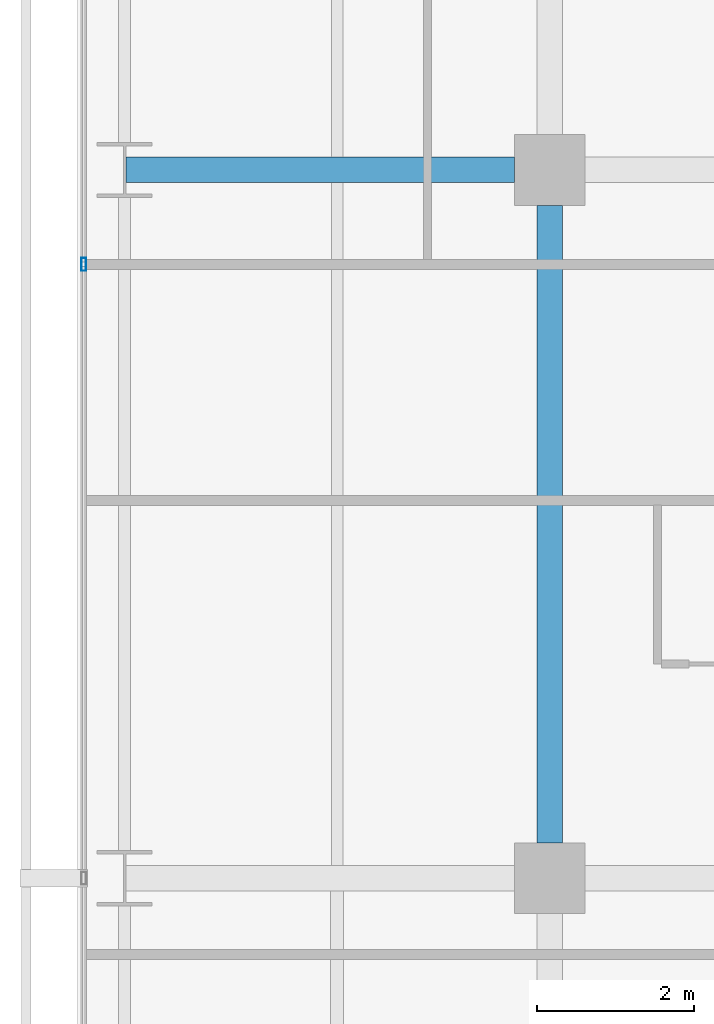
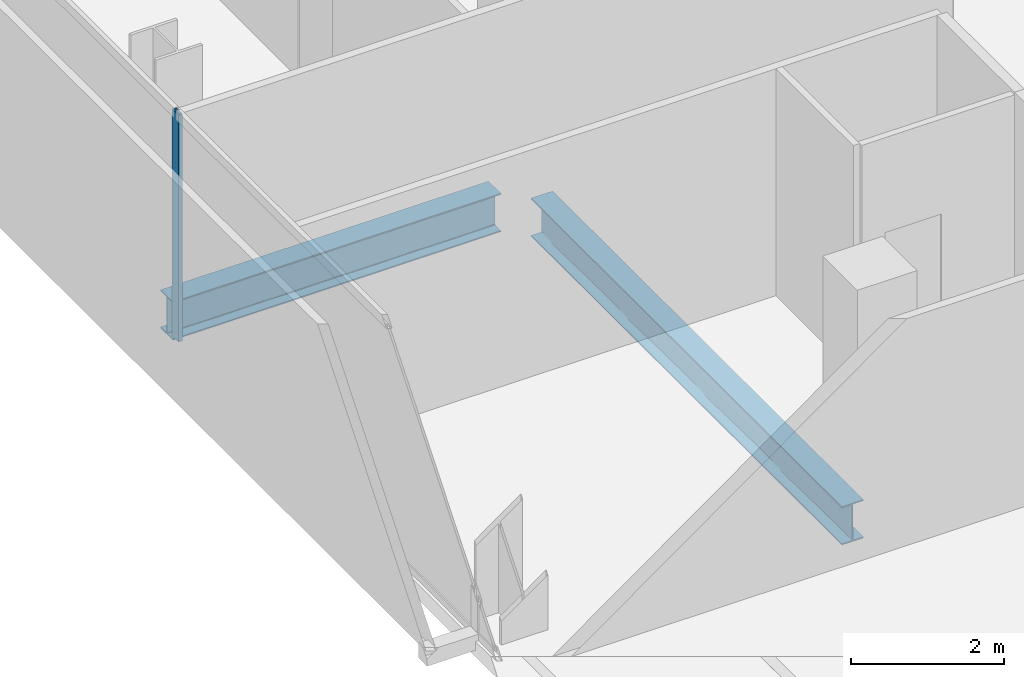
# One storey, part 21 of 40: 2 beams, 1 member, 1 element without a shape of its own.
"""IFC4 building model written with IfcOpenShell, lengths in metres."""

from ifc_helpers import new_model, si_unit, direction, frame, origin, origin_2d, place, context, subcontext, project, spatial, hollow_rectangle, i_section, extrude, material, layer, layer_set, material_profile, profile_set, type_object, element, aggregate, save


model = new_model("IFC4")

# Units and contexts
model_context = context("Model", 3, precision=1e-05, world=origin(), true_north=direction((0.0, 1.0)))
body_context = subcontext(model_context, "Body", "Model", "MODEL_VIEW")
ifc_project = project(units=[si_unit("LENGTHUNIT", "METRE"), si_unit("AREAUNIT", "SQUARE_METRE"), si_unit("VOLUMEUNIT", "CUBIC_METRE"), si_unit("PLANEANGLEUNIT", "RADIAN"), si_unit("MASSUNIT", "GRAM", prefix="KILO")], contexts=[model_context])

# Site, building, storey
site_placement = place(None, origin())
site = spatial("IfcSite", under=ifc_project, at=site_placement, CompositionType="ELEMENT")
building_placement = place(site_placement, origin())
building = spatial("IfcBuilding", under=site, at=building_placement, Name="Maruvema Waterfront Hotel and Observation Tower", CompositionType="ELEMENT")
storey_placement = place(building_placement, frame((0.0, 0.0, 96.25)))
storey = spatial("IfcBuildingStorey", under=building, at=storey_placement, Name="L23", CompositionType="ELEMENT", Elevation=96.25)

# Curtain wall, member
ifc_material_1 = material(Name="Anodised bronze aluminium and solar-control low-E IGU", Category="aluminium")
ifc_layer = layer(ifc_material_1, 0.159912109375, Name="Zone 1 Bronze Inner Thermal Curtain Wall System CW-02")
ifc_layer_set = layer_set([ifc_layer], Name="Anodised bronze aluminium and solar-control low-E IGU")
curtain_wall_type = type_object("IfcCurtainWallType", Name="Zone 1 Bronze Inner Thermal Curtain Wall System CW-02", PredefinedType="USERDEFINED", material=ifc_layer_set)
curtain_wall_placement = place(storey_placement, origin())
curtain_wall = element("IfcCurtainWall", 1, at=curtain_wall_placement, inside=storey, type_object=curtain_wall_type, Name="L23 Curtain Wall CW-L23-W", ObjectType="UNITISED CURTAIN WALL", PredefinedType="USERDEFINED")
ifc_material_2 = material(Name="Anodised architectural bronze aluminium", Category="aluminium")
ifc_material_profile_1 = material_profile(ifc_material_2, hollow_rectangle(XDim=0.06494140625, YDim=0.1650390625, WallThickness=0.00390625, at=origin_2d()), Name="ALU-M65x165")
ifc_profile_set_1 = profile_set([ifc_material_profile_1], Name="Anodised architectural bronze aluminium")
member_type = type_object("IfcMemberType", Name="Curtain Wall Primary Mullion ALU-M65x165", PredefinedType="MULLION", material=ifc_profile_set_1)
member_placement = place(storey_placement, frame((10.8798828125, 34.800048828125, 0.0), z_axis=(0.0, 0.0, 1.0), x_axis=(1.0, 0.0, 0.0)))
member = element("IfcMember", 2, at=member_placement, type_object=member_type, Name="CW-02 mullion 3", PredefinedType="MULLION", context=body_context, shape_type="SweptSolid", body=[
    extrude(hollow_rectangle(XDim=0.06494140625, YDim=0.1650390625, WallThickness=0.00390625, at=origin_2d()), origin(), (0.0, 0.0, 1.0), 3.610107421875),
])
aggregate(curtain_wall, [member])

# Beams
ifc_material_3 = material(Name="Steel ASTM A572 Grade 50", Category="steel")
ifc_material_profile_2 = material_profile(ifc_material_3, i_section(OverallWidth=0.323974609375, OverallDepth=0.611083984375, WebThickness=0.0126953125, FlangeThickness=0.01904296875, FilletRadius=0.01806640625, at=origin_2d()), Name="W610x155.0")
ifc_profile_set_2 = profile_set([ifc_material_profile_2], Name="Steel ASTM A572 Grade 50")
beam_type = type_object("IfcBeamType", Name="Primary Floor Girder W610x155.0", PredefinedType="BEAM", material=ifc_profile_set_2)
beam_1_placement = place(storey_placement, frame((11.4140625, 36.0, -0.54541015625), z_axis=(1.0, 0.0, 0.0), x_axis=(0.0, 1.0, 0.0)))
element("IfcBeam", 3, at=beam_1_placement, inside=storey, type_object=beam_type, Name="L23 Floor Girder EW-25", PredefinedType="BEAM", context=body_context, shape_type="SweptSolid", body=[
    extrude(i_section(OverallWidth=0.323974609375, OverallDepth=0.611083984375, WebThickness=0.0126953125, FlangeThickness=0.01904296875, FilletRadius=0.01806640625, at=origin_2d()), origin(), (0.0, 0.0, 1.0), 4.93603515625),
])
beam_2_placement = place(storey_placement, frame((16.800048828125, 27.449951171875, -0.54541015625), z_axis=(0.0, 1.0, 0.0), x_axis=(-1.0, 0.0, 0.0)))
element("IfcBeam", 4, at=beam_2_placement, inside=storey, type_object=beam_type, Name="L23 Floor Girder NS-08", PredefinedType="BEAM", context=body_context, shape_type="SweptSolid", body=[
    extrude(i_section(OverallWidth=0.323974609375, OverallDepth=0.611083984375, WebThickness=0.0126953125, FlangeThickness=0.01904296875, FilletRadius=0.01806640625, at=origin_2d()), origin(), (0.0, 0.0, 1.0), 8.10009765625),
])

save(model, "model.ifc")
